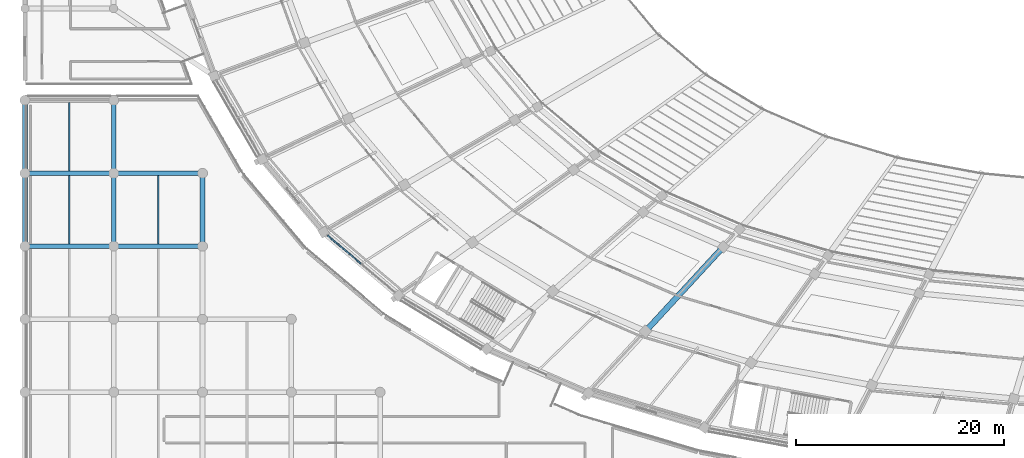
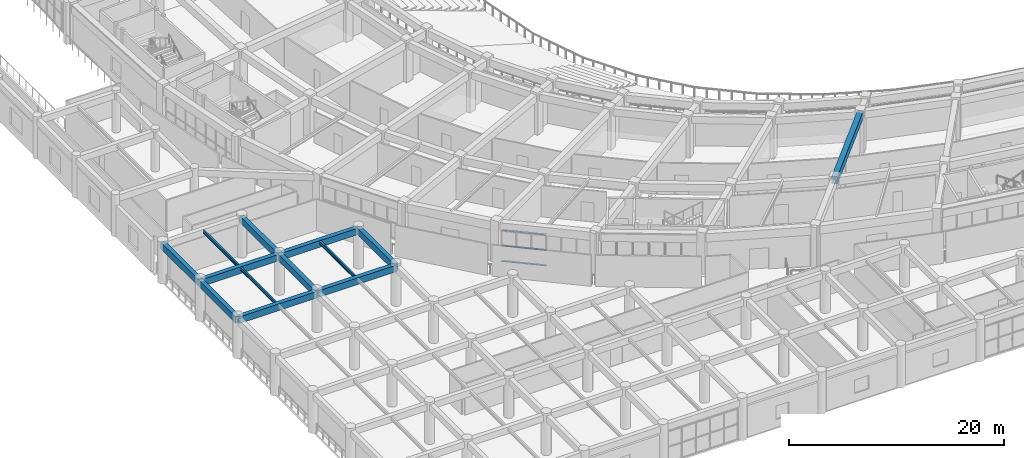
# One storey, part 16 of 152: 13 beams, 9 members, 1 element without a shape of its own.
"""IFC4 building model written with IfcOpenShell, lengths in metres."""

from ifc_helpers import new_model, si_unit, direction, frame, origin, origin_2d, place, context, subcontext, project, spatial, rectangle, i_section, extrude, material, layer, layer_set, material_profile, profile_set, type_object, element, aggregate, save


model = new_model("IFC4")

# Units and contexts
model_context = context("Model", 3, precision=1e-05, world=origin(), true_north=direction((0.0, 1.0)))
body_context = subcontext(model_context, "Body", "Model", "MODEL_VIEW")
ifc_project = project(units=[si_unit("LENGTHUNIT", "METRE"), si_unit("AREAUNIT", "SQUARE_METRE"), si_unit("VOLUMEUNIT", "CUBIC_METRE"), si_unit("PLANEANGLEUNIT", "RADIAN"), si_unit("MASSUNIT", "GRAM", prefix="KILO")], contexts=[model_context])

# Site, building, storey
site_placement = place(None, origin())
site = spatial("IfcSite", under=ifc_project, at=site_placement, CompositionType="ELEMENT")
building_placement = place(site_placement, origin())
building = spatial("IfcBuilding", under=site, at=building_placement, Name="Mphavela Belvedere Stadium", CompositionType="ELEMENT")
storey_placement = place(building_placement, frame((0.0, 0.0, 5.39990234375)))
storey = spatial("IfcBuildingStorey", under=building, at=storey_placement, Name="L01", CompositionType="ELEMENT", Elevation=5.39990234375)

# Beams
ifc_material_1 = material(Name="Steel S355", Category="steel")
ifc_material_profile_1 = material_profile(ifc_material_1, i_section(OverallWidth=0.169921875, OverallDepth=0.360107421875, WebThickness=0.008056640625, FlangeThickness=0.0126953125, at=origin_2d()), Name="IPE 360")
ifc_profile_set_1 = profile_set([ifc_material_profile_1], Name="Steel S355")
beam_type_1 = type_object("IfcBeamType", Name="BM-JOIST-IPE360", PredefinedType="JOIST", material=ifc_profile_set_1)
for number, where, z_axis, x_axis, name in (
    (1, (4.259521484375, 35.22509765625, 4.360107421875), (0.0, 1.0, 0.0), (-1.0, 0.0, 0.0), "South Axial Triumphal Peristyle Portico secondary joist L01 1-6"),
    (2, (4.259521484375, 42.22509765625, 4.360107421875), (0.0, 1.0, 0.0), (-1.0, 0.0, 0.0), "South Axial Triumphal Peristyle Portico secondary joist L01 1-7"),
    (3, (12.778076171875, 35.22509765625, 4.360107421875), (0.0, 1.0, 0.0), (-1.0, 0.0, 0.0), "South Axial Triumphal Peristyle Portico secondary joist L01 2-6"),
):
    element("IfcBeam", number, at=place(storey_placement, frame(where, z_axis=z_axis, x_axis=x_axis)), inside=storey, type_object=beam_type_1, Name=name, PredefinedType="JOIST", context=body_context, shape_type="SweptSolid", body=[
        extrude(i_section(OverallWidth=0.169921875, OverallDepth=0.360107421875, WebThickness=0.008056640625, FlangeThickness=0.0126953125, at=origin_2d()), origin(), (0.0, 0.0, 1.0), 6.5498046875),
    ])
ifc_material_2 = material(Name="Concrete C40/50", Category="concrete")
ifc_material_profile_2 = material_profile(ifc_material_2, rectangle(XDim=0.449951171875, YDim=0.75, at=origin_2d()), Name="RC 450x750")
ifc_profile_set_2 = profile_set([ifc_material_profile_2], Name="Concrete C40/50")
beam_type_2 = type_object("IfcBeamType", Name="BM-RC450x750", PredefinedType="BEAM", material=ifc_profile_set_2)
beam_1_placement = place(storey_placement, frame((0.0, 35.0, 4.1650390625), z_axis=(1.0, 0.0, 0.0), x_axis=(0.0, 1.0, 0.0)))
element("IfcBeam", 4, at=beam_1_placement, inside=storey, type_object=beam_type_2, Name="South Axial Triumphal Peristyle Portico entablature beam X L01 1-6", PredefinedType="BEAM", context=body_context, shape_type="SweptSolid", body=[
    extrude(rectangle(XDim=0.449951171875, YDim=0.75, at=origin_2d()), origin(), (0.0, 0.0, 1.0), 8.51904296875),
])
beam_2_placement = place(storey_placement, frame((0.0, 35.0, 4.1650390625), z_axis=(0.0, 1.0, 0.0), x_axis=(-1.0, 0.0, 0.0)))
element("IfcBeam", 5, at=beam_2_placement, inside=storey, type_object=beam_type_2, Name="South Axial Triumphal Peristyle Portico entablature beam Y L01 1-6", PredefinedType="BEAM", context=body_context, shape_type="SweptSolid", body=[
    extrude(rectangle(XDim=0.449951171875, YDim=0.75, at=origin_2d()), origin(), (0.0, 0.0, 1.0), 7.0),
])
beam_3_placement = place(storey_placement, frame((0.0, 42.0, 4.1650390625), z_axis=(1.0, 0.0, 0.0), x_axis=(0.0, 1.0, 0.0)))
element("IfcBeam", 6, at=beam_3_placement, inside=storey, type_object=beam_type_2, Name="South Axial Triumphal Peristyle Portico entablature beam X L01 1-7", PredefinedType="BEAM", context=body_context, shape_type="SweptSolid", body=[
    extrude(rectangle(XDim=0.449951171875, YDim=0.75, at=origin_2d()), origin(), (0.0, 0.0, 1.0), 8.51904296875),
])
beam_4_placement = place(storey_placement, frame((0.0, 42.0, 4.1650390625), z_axis=(0.0, 1.0, 0.0), x_axis=(-1.0, 0.0, 0.0)))
element("IfcBeam", 7, at=beam_4_placement, inside=storey, type_object=beam_type_2, Name="South Axial Triumphal Peristyle Portico entablature beam Y L01 1-7", PredefinedType="BEAM", context=body_context, shape_type="SweptSolid", body=[
    extrude(rectangle(XDim=0.449951171875, YDim=0.75, at=origin_2d()), origin(), (0.0, 0.0, 1.0), 7.0),
])
beam_5_placement = place(storey_placement, frame((8.51904296875, 35.0, 4.1650390625), z_axis=(1.0, 0.0, 0.0), x_axis=(0.0, 1.0, 0.0)))
element("IfcBeam", 8, at=beam_5_placement, inside=storey, type_object=beam_type_2, Name="South Axial Triumphal Peristyle Portico entablature beam X L01 2-6", PredefinedType="BEAM", context=body_context, shape_type="SweptSolid", body=[
    extrude(rectangle(XDim=0.449951171875, YDim=0.75, at=origin_2d()), origin(), (0.0, 0.0, 1.0), 8.51806640625),
])
beam_6_placement = place(storey_placement, frame((8.51904296875, 35.0, 4.1650390625), z_axis=(0.0, 1.0, 0.0), x_axis=(-1.0, 0.0, 0.0)))
element("IfcBeam", 9, at=beam_6_placement, inside=storey, type_object=beam_type_2, Name="South Axial Triumphal Peristyle Portico entablature beam Y L01 2-6", PredefinedType="BEAM", context=body_context, shape_type="SweptSolid", body=[
    extrude(rectangle(XDim=0.449951171875, YDim=0.75, at=origin_2d()), origin(), (0.0, 0.0, 1.0), 7.0),
])
beam_7_placement = place(storey_placement, frame((8.51904296875, 42.0, 4.1650390625), z_axis=(1.0, 0.0, 0.0), x_axis=(0.0, 1.0, 0.0)))
element("IfcBeam", 10, at=beam_7_placement, inside=storey, type_object=beam_type_2, Name="South Axial Triumphal Peristyle Portico entablature beam X L01 2-7", PredefinedType="BEAM", context=body_context, shape_type="SweptSolid", body=[
    extrude(rectangle(XDim=0.449951171875, YDim=0.75, at=origin_2d()), origin(), (0.0, 0.0, 1.0), 8.51806640625),
])
for number, where, z_axis, x_axis, name in (
    (11, (8.51904296875, 42.0, 4.1650390625), (0.0, 1.0, 0.0), (-1.0, 0.0, 0.0), "South Axial Triumphal Peristyle Portico entablature beam Y L01 2-7"),
    (12, (17.037109375, 35.0, 4.1650390625), (0.0, 1.0, 0.0), (-1.0, 0.0, 0.0), "South Axial Triumphal Peristyle Portico entablature beam Y L01 3-6"),
):
    element("IfcBeam", number, at=place(storey_placement, frame(where, z_axis=z_axis, x_axis=x_axis)), inside=storey, type_object=beam_type_2, Name=name, PredefinedType="BEAM", context=body_context, shape_type="SweptSolid", body=[
        extrude(rectangle(XDim=0.449951171875, YDim=0.75, at=origin_2d()), origin(), (0.0, 0.0, 1.0), 7.0),
    ])
ifc_material_3 = material(Name="Concrete C40/50", Category="concrete")
ifc_material_profile_3 = material_profile(ifc_material_3, rectangle(XDim=0.550048828125, YDim=0.85009765625, at=origin_2d()), Name="RC 550x850")
ifc_profile_set_3 = profile_set([ifc_material_profile_3], Name="Concrete C40/50")
beam_type_3 = type_object("IfcBeamType", Name="BM-RC550x850", PredefinedType="BEAM", material=ifc_profile_set_3)
beam_8_placement = place(storey_placement, frame((66.997314453125, 34.9375, 4.125), z_axis=(-0.677871643116, -0.735180274123, 0.0), x_axis=(0.735180274123, -0.677871643116, 0.0)))
element("IfcBeam", 13, at=beam_8_placement, inside=storey, type_object=beam_type_3, Name="Radial concourse girder L01 R2R3-33", PredefinedType="BEAM", context=body_context, shape_type="SweptSolid", body=[
    extrude(rectangle(XDim=0.550048828125, YDim=0.85009765625, at=origin_2d()), origin(), (0.0, 0.0, 1.0), 11.025146484375),
])

# Curtain wall, members
ifc_material_4 = material(Name="Anodised bronze unitised curtain wall framing")
ifc_layer = layer(ifc_material_4, 0.205078125)
ifc_layer_set = layer_set([ifc_layer], Name="Anodised bronze unitised curtain wall framing")
curtain_wall_type = type_object("IfcCurtainWallType", Name="CW-UNIT-06", PredefinedType="USERDEFINED", material=ifc_layer_set)
curtain_wall_placement = place(storey_placement, origin())
curtain_wall = element("IfcCurtainWall", 14, at=curtain_wall_placement, inside=storey, type_object=curtain_wall_type, Name="Belvedere colonnade curtain wall L01-30", ObjectType="UNITISED CURTAIN WALL", PredefinedType="USERDEFINED")
ifc_material_5 = material(Name="Anodised bronze extruded aluminium", Category="aluminium")
ifc_material_profile_4 = material_profile(ifc_material_5, rectangle(XDim=0.139892578125, YDim=0.06005859375, at=origin_2d()), Name="CW-TRN 140x60")
ifc_profile_set_4 = profile_set([ifc_material_profile_4], Name="Anodised bronze extruded aluminium")
member_type = type_object("IfcMemberType", Name="CWT-140x60", PredefinedType="USERDEFINED", material=ifc_profile_set_4)
member_1_placement = place(storey_placement, frame((29.03466796875, 36.03173828125, 0.030029296875), z_axis=(0.764333961041, -0.644820592103, 0.0), x_axis=(0.644820592103, 0.764333961041, 0.0)))
member_1 = element("IfcMember", 15, at=member_1_placement, type_object=member_type, Name="CW-06 transom 1.1", ObjectType="TRANSOM", PredefinedType="USERDEFINED", context=body_context, shape_type="SweptSolid", body=[
    extrude(rectangle(XDim=0.139892578125, YDim=0.06005859375, at=origin_2d()), origin(), (0.0, 0.0, 1.0), 1.327880859375),
])
member_2_placement = place(storey_placement, frame((29.03466796875, 36.03173828125, 1.78515625), z_axis=(0.764333961041, -0.644820592103, 0.0), x_axis=(0.644820592103, 0.764333961041, 0.0)))
member_2 = element("IfcMember", 16, at=member_2_placement, type_object=member_type, Name="CW-06 transom 1.2", ObjectType="TRANSOM", PredefinedType="USERDEFINED", context=body_context, shape_type="SweptSolid", body=[
    extrude(rectangle(XDim=0.139892578125, YDim=0.06005859375, at=origin_2d()), origin(), (0.0, 0.0, 1.0), 1.327880859375),
])
member_3_placement = place(storey_placement, frame((29.03466796875, 36.03173828125, 3.5400390625), z_axis=(0.764333961041, -0.644820592103, 0.0), x_axis=(0.644820592103, 0.764333961041, 0.0)))
member_3 = element("IfcMember", 17, at=member_3_placement, type_object=member_type, Name="CW-06 transom 1.3", ObjectType="TRANSOM", PredefinedType="USERDEFINED", context=body_context, shape_type="SweptSolid", body=[
    extrude(rectangle(XDim=0.139892578125, YDim=0.06005859375, at=origin_2d()), origin(), (0.0, 0.0, 1.0), 1.327880859375),
])
member_4_placement = place(storey_placement, frame((30.09912109375, 35.133544921875, 0.030029296875), z_axis=(0.764250024637, -0.644920072445, 0.0), x_axis=(0.644920072445, 0.764250024637, 0.0)))
member_4 = element("IfcMember", 18, at=member_4_placement, type_object=member_type, Name="CW-06 transom 2.1", ObjectType="TRANSOM", PredefinedType="USERDEFINED", context=body_context, shape_type="SweptSolid", body=[
    extrude(rectangle(XDim=0.139892578125, YDim=0.06005859375, at=origin_2d()), origin(), (0.0, 0.0, 1.0), 1.360595703125),
])
member_5_placement = place(storey_placement, frame((30.09912109375, 35.133544921875, 1.78515625), z_axis=(0.764250024637, -0.644920072445, 0.0), x_axis=(0.644920072445, 0.764250024637, 0.0)))
member_5 = element("IfcMember", 19, at=member_5_placement, type_object=member_type, Name="CW-06 transom 2.2", ObjectType="TRANSOM", PredefinedType="USERDEFINED", context=body_context, shape_type="SweptSolid", body=[
    extrude(rectangle(XDim=0.139892578125, YDim=0.06005859375, at=origin_2d()), origin(), (0.0, 0.0, 1.0), 1.360595703125),
])
member_6_placement = place(storey_placement, frame((30.09912109375, 35.133544921875, 3.5400390625), z_axis=(0.764250024637, -0.644920072445, 0.0), x_axis=(0.644920072445, 0.764250024637, 0.0)))
member_6 = element("IfcMember", 20, at=member_6_placement, type_object=member_type, Name="CW-06 transom 2.3", ObjectType="TRANSOM", PredefinedType="USERDEFINED", context=body_context, shape_type="SweptSolid", body=[
    extrude(rectangle(XDim=0.139892578125, YDim=0.06005859375, at=origin_2d()), origin(), (0.0, 0.0, 1.0), 1.360595703125),
])
member_7_placement = place(storey_placement, frame((31.1884765625, 34.21435546875, 0.030029296875), z_axis=(0.764250024637, -0.644920072445, 0.0), x_axis=(0.644920072445, 0.764250024637, 0.0)))
member_7 = element("IfcMember", 21, at=member_7_placement, type_object=member_type, Name="CW-06 transom 3.1", ObjectType="TRANSOM", PredefinedType="USERDEFINED", context=body_context, shape_type="SweptSolid", body=[
    extrude(rectangle(XDim=0.139892578125, YDim=0.06005859375, at=origin_2d()), origin(), (0.0, 0.0, 1.0), 1.360595703125),
])
member_8_placement = place(storey_placement, frame((31.1884765625, 34.21435546875, 1.78515625), z_axis=(0.764250024637, -0.644920072445, 0.0), x_axis=(0.644920072445, 0.764250024637, 0.0)))
member_8 = element("IfcMember", 22, at=member_8_placement, type_object=member_type, Name="CW-06 transom 3.2", ObjectType="TRANSOM", PredefinedType="USERDEFINED", context=body_context, shape_type="SweptSolid", body=[
    extrude(rectangle(XDim=0.139892578125, YDim=0.06005859375, at=origin_2d()), origin(), (0.0, 0.0, 1.0), 1.360595703125),
])
member_9_placement = place(storey_placement, frame((31.1884765625, 34.21435546875, 3.5400390625), z_axis=(0.764250024637, -0.644920072445, 0.0), x_axis=(0.644920072445, 0.764250024637, 0.0)))
member_9 = element("IfcMember", 23, at=member_9_placement, type_object=member_type, Name="CW-06 transom 3.3", ObjectType="TRANSOM", PredefinedType="USERDEFINED", context=body_context, shape_type="SweptSolid", body=[
    extrude(rectangle(XDim=0.139892578125, YDim=0.06005859375, at=origin_2d()), origin(), (0.0, 0.0, 1.0), 1.360595703125),
])
aggregate(curtain_wall, [member_1, member_2, member_3, member_4, member_5, member_6, member_7, member_8, member_9])

save(model, "model.ifc")
